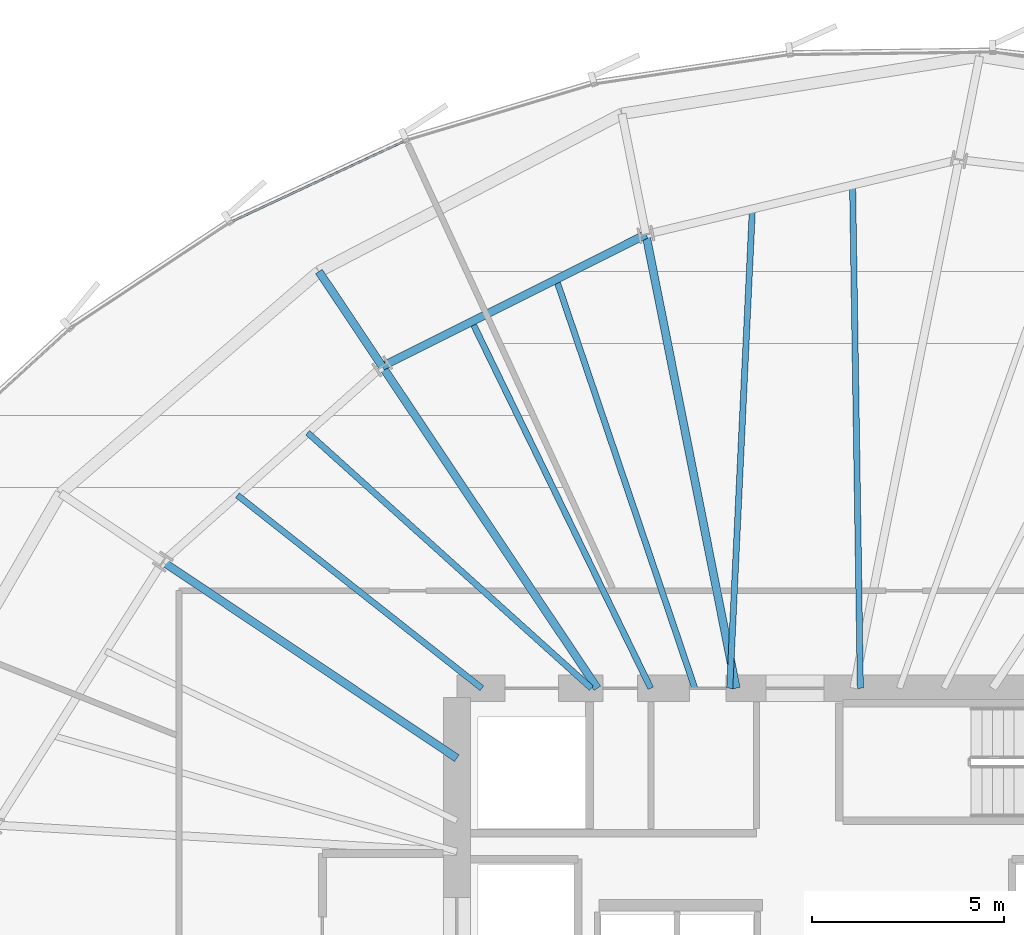
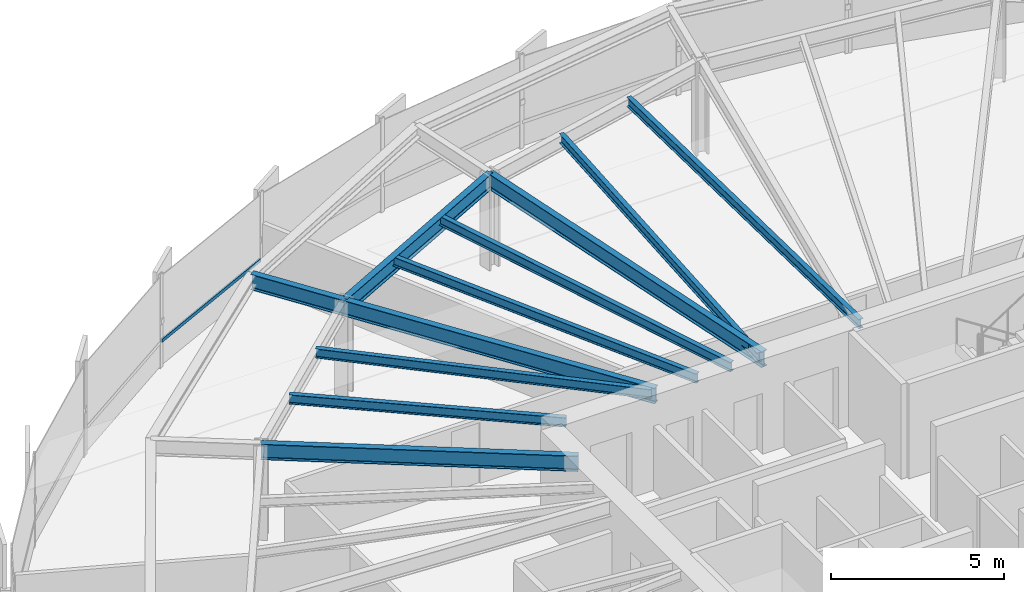
# One storey, part 19 of 35: 11 beams, 1 member, 1 element without a shape of its own.
"""IFC4 building model written with IfcOpenShell, lengths in metres."""

from ifc_helpers import new_model, si_unit, direction, frame, origin, origin_2d, place, context, subcontext, project, spatial, hollow_rectangle, i_section, extrude, source, transform, mapped, material, layer, layer_set, material_profile, profile_set, type_object, element, aggregate, save


model = new_model("IFC4")

# Units and contexts
model_context = context("Model", 3, precision=1e-05, world=origin(), true_north=direction((0.0, 1.0)))
body_context = subcontext(model_context, "Body", "Model", "MODEL_VIEW")
ifc_project = project(units=[si_unit("LENGTHUNIT", "METRE"), si_unit("AREAUNIT", "SQUARE_METRE"), si_unit("VOLUMEUNIT", "CUBIC_METRE"), si_unit("PLANEANGLEUNIT", "RADIAN"), si_unit("MASSUNIT", "GRAM", prefix="KILO"), si_unit("THERMODYNAMICTEMPERATUREUNIT", "KELVIN")], contexts=[model_context])

# Site, building, storey
site_placement = place(None, origin())
site = spatial("IfcSite", under=ifc_project, at=site_placement, CompositionType="ELEMENT")
building_placement = place(site_placement, origin())
building = spatial("IfcBuilding", under=site, at=building_placement, Name="Kethvar Cultural Tower", CompositionType="ELEMENT")
storey_placement = place(building_placement, frame((0.0, 0.0, 85.60009765625)))
storey = spatial("IfcBuildingStorey", under=building, at=storey_placement, Name="L20", CompositionType="ELEMENT", Elevation=85.60009765625)

# Beams
ifc_material_1 = material(Name="Steel S355J2", Category="steel")
ifc_material_profile_1 = material_profile(ifc_material_1, i_section(OverallWidth=0.2099609375, OverallDepth=0.550048828125, WebThickness=0.010986328125, FlangeThickness=0.01708984375, FilletRadius=0.02392578125, at=origin_2d()), Name="Steel S355J2 — IPE550")
ifc_profile_set_1 = profile_set([ifc_material_profile_1], Name="Steel S355J2 — IPE550")
beam_type_1 = type_object("IfcBeamType", Name="BM-IPE550", PredefinedType="BEAM", material=ifc_profile_set_1)
shared_shape_1 = source(origin(), body_context, "Body", "SweptSolid", [
    extrude(i_section(OverallWidth=0.2099609375, OverallDepth=0.550048828125, WebThickness=0.010986328125, FlangeThickness=0.01708984375, FilletRadius=0.02392578125, at=origin_2d()), origin(), (0.0, 0.0, 1.0), 12.042724609375),
])
beam_1_placement = place(storey_placement, frame((45.268310546875, 35.5, 3.072998046875), z_axis=(-0.195086784047, 0.980785984142, 0.0), x_axis=(-0.980785984142, -0.195086784047, 0.0)))
element("IfcBeam", 1, at=beam_1_placement, inside=storey, type_object=beam_type_1, Name="L20 Primary Radial Beam RB-05", PredefinedType="BEAM", context=body_context, shape_type="MappedRepresentation", body=[
    mapped(shared_shape_1, transform((0.0, 0.0, 0.0), scale=1.0)),
])
shared_shape_2 = source(origin(), body_context, "Body", "SweptSolid", [
    extrude(i_section(OverallWidth=0.2099609375, OverallDepth=0.550048828125, WebThickness=0.010986328125, FlangeThickness=0.01708984375, FilletRadius=0.02392578125, at=origin_2d()), origin(), (0.0, 0.0, 1.0), 10.0751953125),
])
beam_2_placement = place(storey_placement, frame((41.655029296875, 35.5, 3.072998046875), z_axis=(-0.555566654614, 0.831472003305, 0.0), x_axis=(-0.831472003305, -0.555566654614, 0.0)))
element("IfcBeam", 2, at=beam_2_placement, inside=storey, type_object=beam_type_1, Name="L20 Primary Radial Beam RB-06", PredefinedType="BEAM", context=body_context, shape_type="MappedRepresentation", body=[
    mapped(shared_shape_2, transform((0.0, 0.0, 0.0), scale=1.0)),
])
shared_shape_3 = source(origin(), body_context, "Body", "SweptSolid", [
    extrude(i_section(OverallWidth=0.2099609375, OverallDepth=0.550048828125, WebThickness=0.010986328125, FlangeThickness=0.01708984375, FilletRadius=0.02392578125, at=origin_2d()), origin(), (0.0, 0.0, 1.0), 2.96875),
])
beam_3_placement = place(storey_placement, frame((36.0576171875, 43.877197265625, 3.072998046875), z_axis=(-0.555572836374, 0.831467872791, 0.0), x_axis=(-0.831467872791, -0.555572836374, 0.0)))
element("IfcBeam", 3, at=beam_3_placement, inside=storey, type_object=beam_type_1, Name="L20 Perimeter Cantilever Beam RC-06", PredefinedType="BEAM", context=body_context, shape_type="MappedRepresentation", body=[
    mapped(shared_shape_3, transform((0.0, 0.0, 0.0), scale=1.0)),
])
shared_shape_4 = source(origin(), body_context, "Body", "SweptSolid", [
    extrude(i_section(OverallWidth=0.2099609375, OverallDepth=0.550048828125, WebThickness=0.010986328125, FlangeThickness=0.01708984375, FilletRadius=0.02392578125, at=origin_2d()), origin(), (0.0, 0.0, 1.0), 9.205322265625),
])
beam_4_placement = place(storey_placement, frame((38.0, 33.679931640625, 3.072998046875), z_axis=(-0.831470451236, 0.555568977465, 0.0), x_axis=(-0.555568977465, -0.831470451236, 0.0)))
element("IfcBeam", 4, at=beam_4_placement, inside=storey, type_object=beam_type_1, Name="L20 Primary Radial Beam RB-07", PredefinedType="BEAM", context=body_context, shape_type="MappedRepresentation", body=[
    mapped(shared_shape_4, transform((0.0, 0.0, 0.0), scale=1.0)),
])
ifc_material_profile_2 = material_profile(ifc_material_1, i_section(OverallWidth=0.159912109375, OverallDepth=0.330078125, WebThickness=0.007568359375, FlangeThickness=0.011474609375, FilletRadius=0.01806640625, at=origin_2d()), Name="Steel S355J2 — IPE330")
ifc_profile_set_2 = profile_set([ifc_material_profile_2], Name="Steel S355J2 — IPE330")
beam_type_2 = type_object("IfcBeamType", Name="BM-J330", PredefinedType="JOIST", material=ifc_profile_set_2)
shared_shape_5 = source(origin(), body_context, "Body", "SweptSolid", [
    extrude(i_section(OverallWidth=0.159912109375, OverallDepth=0.330078125, WebThickness=0.007568359375, FlangeThickness=0.011474609375, FilletRadius=0.01806640625, at=origin_2d()), origin(), (0.0, 0.0, 1.0), 13.098388671875),
])
beam_5_placement = place(storey_placement, frame((48.5, 35.5, 3.182861328125), z_axis=(-0.015451599057, 0.999880616917, 0.0), x_axis=(-0.999880616917, -0.015451599057, 0.0)))
element("IfcBeam", 5, at=beam_5_placement, inside=storey, type_object=beam_type_2, Name="L20 Composite Floor Joist J-04A", PredefinedType="JOIST", context=body_context, shape_type="MappedRepresentation", body=[
    mapped(shared_shape_5, transform((0.0, 0.0, 0.0), scale=1.0)),
])
shared_shape_6 = source(origin(), body_context, "Body", "SweptSolid", [
    extrude(i_section(OverallWidth=0.159912109375, OverallDepth=0.330078125, WebThickness=0.007568359375, FlangeThickness=0.011474609375, FilletRadius=0.01806640625, at=origin_2d()), origin(), (0.0, 0.0, 1.0), 12.487548828125),
])
beam_6_placement = place(storey_placement, frame((45.10009765625, 35.5, 3.182861328125), z_axis=(0.047214958818, 0.998884751943, 0.0), x_axis=(-0.998884751943, 0.047214958818, 0.0)))
element("IfcBeam", 6, at=beam_6_placement, inside=storey, type_object=beam_type_2, Name="L20 Composite Floor Joist J-04B", PredefinedType="JOIST", context=body_context, shape_type="MappedRepresentation", body=[
    mapped(shared_shape_6, transform((0.0, 0.0, 0.0), scale=1.0)),
])
shared_shape_7 = source(origin(), body_context, "Body", "SweptSolid", [
    extrude(i_section(OverallWidth=0.2099609375, OverallDepth=0.550048828125, WebThickness=0.010986328125, FlangeThickness=0.01708984375, FilletRadius=0.02392578125, at=origin_2d()), origin(), (0.0, 0.0, 1.0), 7.672607421875),
])
beam_7_placement = place(storey_placement, frame((42.9189453125, 47.311279296875, 3.072998046875), z_axis=(-0.894248932057, -0.447569935892, 0.0), x_axis=(0.447569935892, -0.894248932057, 0.0)))
element("IfcBeam", 7, at=beam_7_placement, inside=storey, type_object=beam_type_1, Name="L20 Column Ring Tie Beam CR-05", PredefinedType="BEAM", context=body_context, shape_type="MappedRepresentation", body=[
    mapped(shared_shape_7, transform((0.0, 0.0, 0.0), scale=1.0)),
])
shared_shape_8 = source(origin(), body_context, "Body", "SweptSolid", [
    extrude(i_section(OverallWidth=0.159912109375, OverallDepth=0.330078125, WebThickness=0.007568359375, FlangeThickness=0.011474609375, FilletRadius=0.01806640625, at=origin_2d()), origin(), (0.0, 0.0, 1.0), 11.23779296875),
])
beam_8_placement = place(storey_placement, frame((44.191650390625, 35.5, 3.182861328125), z_axis=(-0.32083186626, 0.94713616423, 0.0), x_axis=(-0.94713616423, -0.32083186626, 0.0)))
element("IfcBeam", 8, at=beam_8_placement, inside=storey, type_object=beam_type_2, Name="L20 Composite Floor Joist J-05A", PredefinedType="JOIST", context=body_context, shape_type="MappedRepresentation", body=[
    mapped(shared_shape_8, transform((0.0, 0.0, 0.0), scale=1.0)),
])
shared_shape_9 = source(origin(), body_context, "Body", "SweptSolid", [
    extrude(i_section(OverallWidth=0.159912109375, OverallDepth=0.330078125, WebThickness=0.007568359375, FlangeThickness=0.011474609375, FilletRadius=0.01806640625, at=origin_2d()), origin(), (0.0, 0.0, 1.0), 10.619384765625),
])
beam_9_placement = place(storey_placement, frame((43.044921875, 35.5, 3.182861328125), z_axis=(-0.438308125028, 0.898824781331, 0.0), x_axis=(-0.898824781331, -0.438308125028, 0.0)))
element("IfcBeam", 9, at=beam_9_placement, inside=storey, type_object=beam_type_2, Name="L20 Composite Floor Joist J-05B", PredefinedType="JOIST", context=body_context, shape_type="MappedRepresentation", body=[
    mapped(shared_shape_9, transform((0.0, 0.0, 0.0), scale=1.0)),
])
shared_shape_10 = source(origin(), body_context, "Body", "SweptSolid", [
    extrude(i_section(OverallWidth=0.159912109375, OverallDepth=0.330078125, WebThickness=0.007568359375, FlangeThickness=0.011474609375, FilletRadius=0.01806640625, at=origin_2d()), origin(), (0.0, 0.0, 1.0), 9.93701171875),
])
beam_10_placement = place(storey_placement, frame((41.5, 35.5, 3.182861328125), z_axis=(-0.743138974967, 0.669137103952, 0.0), x_axis=(-0.669137103952, -0.743138974967, 0.0)))
element("IfcBeam", 10, at=beam_10_placement, inside=storey, type_object=beam_type_2, Name="L20 Composite Floor Joist J-06A", PredefinedType="JOIST", context=body_context, shape_type="MappedRepresentation", body=[
    mapped(shared_shape_10, transform((0.0, 0.0, 0.0), scale=1.0)),
])
shared_shape_11 = source(origin(), body_context, "Body", "SweptSolid", [
    extrude(i_section(OverallWidth=0.159912109375, OverallDepth=0.330078125, WebThickness=0.007568359375, FlangeThickness=0.011474609375, FilletRadius=0.01806640625, at=origin_2d()), origin(), (0.0, 0.0, 1.0), 8.105712890625),
])
beam_11_placement = place(storey_placement, frame((38.64990234375, 35.5, 3.182861328125), z_axis=(-0.784895872164, 0.619627686486, 0.0), x_axis=(-0.619627686486, -0.784895872164, 0.0)))
element("IfcBeam", 11, at=beam_11_placement, inside=storey, type_object=beam_type_2, Name="L20 Composite Floor Joist J-06B", PredefinedType="JOIST", context=body_context, shape_type="MappedRepresentation", body=[
    mapped(shared_shape_11, transform((0.0, 0.0, 0.0), scale=1.0)),
])

# Curtain wall, member
ifc_material_2 = material(Name="Aluminium 6063-T6", Category="aluminium")
ifc_layer = layer(ifc_material_2, 0.179931640625, Name="Aluminium 6063-T6", Category="aluminium")
ifc_layer_set = layer_set([ifc_layer], Name="Aluminium 6063-T6 (180 mm)")
curtain_wall_type = type_object("IfcCurtainWallType", Name="CW-SYS-03-Z2", PredefinedType="NOTDEFINED", material=ifc_layer_set)
curtain_wall_placement = place(storey_placement, origin())
curtain_wall = element("IfcCurtainWall", 12, at=curtain_wall_placement, inside=storey, type_object=curtain_wall_type, Name="L20 Curtain Wall Run 02", PredefinedType="NOTDEFINED")
ifc_material_profile_3 = material_profile(ifc_material_2, hollow_rectangle(XDim=0.054931640625, YDim=0.1201171875, WallThickness=0.00390625, at=origin_2d()), Name="Aluminium 6063-T6 — RHS120x55x4")
ifc_profile_set_3 = profile_set([ifc_material_profile_3], Name="Aluminium 6063-T6 — RHS120x55x4")
member_type = type_object("IfcMemberType", Name="CW-SYS-03-Z2-TRN", PredefinedType="USERDEFINED", material=ifc_profile_set_3)
shared_shape_12 = source(origin(), body_context, "Body", "SweptSolid", [
    extrude(hollow_rectangle(XDim=0.054931640625, YDim=0.1201171875, WallThickness=0.00390625, at=origin_2d()), origin(), (0.0, 0.0, 1.0), 4.985595703125),
])
member_placement = place(storey_placement, frame((36.6416015625, 49.744140625, 0.949951171875), z_axis=(-0.906380707133, -0.422461848854, 0.0), x_axis=(0.422461848854, -0.906380707133, 0.0)))
member = element("IfcMember", 13, at=member_placement, type_object=member_type, Name="CW-L20-R02 Transom 5", ObjectType="TRANSOM", PredefinedType="USERDEFINED", context=body_context, shape_type="MappedRepresentation", body=[
    mapped(shared_shape_12, transform((0.0, 0.0, 0.0), scale=1.0)),
])
aggregate(curtain_wall, [member])

save(model, "model.ifc")
